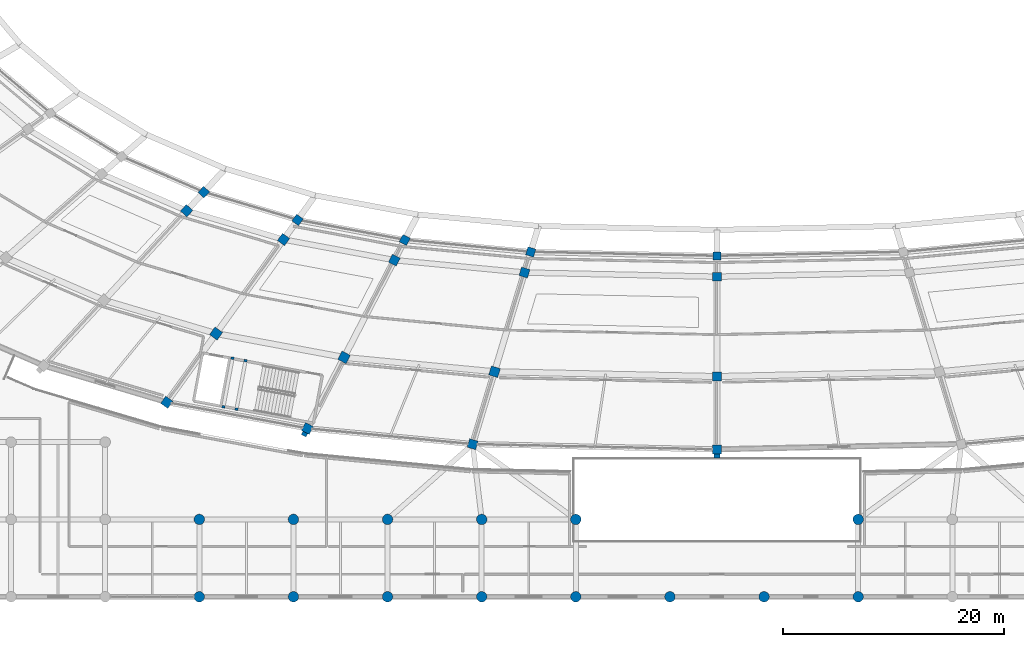
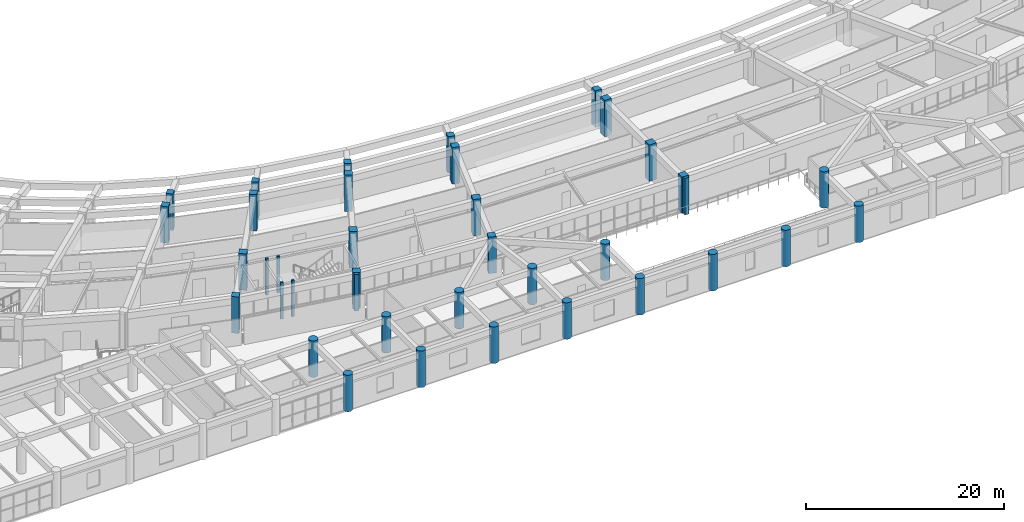
# One storey, part 2 of 145: 38 columns.
"""IFC4 building model written with IfcOpenShell, lengths in metres."""

from ifc_helpers import new_model, si_unit, direction, frame, origin, origin_2d, place, context, subcontext, project, spatial, rectangle, circle, extrude, material, material_profile, profile_set, type_object, element, save


model = new_model("IFC4")

# Units and contexts
model_context = context("Model", 3, precision=1e-05, world=origin(), true_north=direction((0.0, 1.0)))
body_context = subcontext(model_context, "Body", "Model", "MODEL_VIEW")
ifc_project = project(units=[si_unit("LENGTHUNIT", "METRE"), si_unit("AREAUNIT", "SQUARE_METRE"), si_unit("VOLUMEUNIT", "CUBIC_METRE"), si_unit("PLANEANGLEUNIT", "RADIAN"), si_unit("MASSUNIT", "GRAM", prefix="KILO")], contexts=[model_context])

# Site, building, storey
site_placement = place(None, origin())
site = spatial("IfcSite", under=ifc_project, at=site_placement, CompositionType="ELEMENT")
building_placement = place(site_placement, origin())
building = spatial("IfcBuilding", under=site, at=building_placement, Name="Mphavela Belvedere Stadium", CompositionType="ELEMENT")
storey_placement = place(building_placement, frame((0.0, 0.0, 10.199951171875)))
storey = spatial("IfcBuildingStorey", under=building, at=storey_placement, Name="L02", CompositionType="ELEMENT", Elevation=10.199951171875)

# Columns
ifc_material_1 = material(Name="Concrete C40/50", Category="concrete")
ifc_material_profile_1 = material_profile(ifc_material_1, rectangle(XDim=0.300048828125, YDim=0.219970703125, at=origin_2d()), Name="RC 300x220")
ifc_profile_set_1 = profile_set([ifc_material_profile_1], Name="Concrete C40/50")
column_type_1 = type_object("IfcColumnType", Name="COL-CORE-POST-300", PredefinedType="COLUMN", material=ifc_profile_set_1)
for number, where, z_axis, x_axis, name in (
    (1, (72.329833984375, 21.36865234375, 0.0), (0.0, 0.0, 1.0), (-0.983095502692, 0.183093507769, 0.0), "Core C11 stair frame column L02-1"),
    (2, (71.150146484375, 21.58837890625, 0.0), (0.0, 0.0, 1.0), (-0.983095502692, 0.183093507769, 0.0), "Core C11 stair frame column L02-2"),
    (3, (70.331787109375, 17.19384765625, 0.0), (0.0, 0.0, 1.0), (-0.983095502692, 0.183093507769, 0.0), "Core C11 stair frame column L02-3"),
    (4, (71.511474609375, 16.97412109375, 0.0), (0.0, 0.0, 1.0), (-0.983095502692, 0.183093507769, 0.0), "Core C11 stair frame column L02-4"),
):
    element("IfcColumn", number, at=place(storey_placement, frame(where, z_axis=z_axis, x_axis=x_axis)), inside=storey, type_object=column_type_1, Name=name, PredefinedType="COLUMN", context=body_context, shape_type="SweptSolid", body=[
        extrude(rectangle(XDim=0.300048828125, YDim=0.219970703125, at=origin_2d()), origin(), (0.0, 0.0, 1.0), 4.5),
    ])
ifc_material_2 = material(Name="Concrete C40/50", Category="concrete")
ifc_material_profile_2 = material_profile(ifc_material_2, circle(Radius=0.47509765625, at=origin_2d()), Name="COL D950")
ifc_profile_set_2 = profile_set([ifc_material_profile_2], Name="Concrete C40/50")
column_type_2 = type_object("IfcColumnType", Name="COL-DORIC-950", PredefinedType="COLUMN", material=ifc_profile_set_2)
for number, where, z_axis, x_axis, name in (
    (5, (68.14794921875, 0.0, 0.0), (0.0, 0.0, 1.0), (1.0, 0.0, 0.0), "South Axial Triumphal Peristyle Portico classical column L02 9-1"),
    (6, (68.14794921875, 7.0, 0.0), (0.0, 0.0, 1.0), (1.0, 0.0, 0.0), "South Axial Triumphal Peristyle Portico classical column L02 9-2"),
    (7, (76.6669921875, 0.0, 0.0), (0.0, 0.0, 1.0), (1.0, 0.0, 0.0), "South Axial Triumphal Peristyle Portico classical column L02 10-1"),
    (8, (76.6669921875, 7.0, 0.0), (0.0, 0.0, 1.0), (1.0, 0.0, 0.0), "South Axial Triumphal Peristyle Portico classical column L02 10-2"),
    (9, (85.18505859375, 0.0, 0.0), (0.0, 0.0, 1.0), (1.0, 0.0, 0.0), "South Axial Triumphal Peristyle Portico classical column L02 11-1"),
    (10, (85.18505859375, 7.0, 0.0), (0.0, 0.0, 1.0), (1.0, 0.0, 0.0), "South Axial Triumphal Peristyle Portico classical column L02 11-2"),
    (11, (93.7041015625, 0.0, 0.0), (0.0, 0.0, 1.0), (1.0, 0.0, 0.0), "South Axial Triumphal Peristyle Portico classical column L02 12-1"),
    (12, (93.7041015625, 7.0, 0.0), (0.0, 0.0, 1.0), (1.0, 0.0, 0.0), "South Axial Triumphal Peristyle Portico classical column L02 12-2"),
    (13, (102.221923828125, 0.0, 0.0), (0.0, 0.0, 1.0), (1.0, 0.0, 0.0), "South Axial Triumphal Peristyle Portico classical column L02 13-1"),
    (14, (102.221923828125, 7.0, 0.0), (0.0, 0.0, 1.0), (1.0, 0.0, 0.0), "South Axial Triumphal Peristyle Portico classical column L02 13-2"),
    (15, (110.740966796875, 0.0, 0.0), (0.0, 0.0, 1.0), (1.0, 0.0, 0.0), "South Axial Triumphal Peristyle Portico classical column L02 14-1"),
    (16, (119.259033203125, 0.0, 0.0), (0.0, 0.0, 1.0), (1.0, 0.0, 0.0), "South Axial Triumphal Peristyle Portico classical column L02 15-1"),
    (17, (127.778076171875, 0.0, 0.0), (0.0, 0.0, 1.0), (1.0, 0.0, 0.0), "South Axial Triumphal Peristyle Portico classical column L02 16-1"),
    (18, (127.778076171875, 7.0, 0.0), (0.0, 0.0, 1.0), (1.0, 0.0, 0.0), "South Axial Triumphal Peristyle Portico classical column L02 16-2"),
):
    element("IfcColumn", number, at=place(storey_placement, frame(where, z_axis=z_axis, x_axis=x_axis)), inside=storey, type_object=column_type_2, Name=name, PredefinedType="COLUMN", context=body_context, shape_type="SweptSolid", body=[
        extrude(circle(Radius=0.47509765625, at=origin_2d()), origin(), (0.0, 0.0, 1.0), 4.5),
    ])
ifc_material_3 = material(Name="Concrete C40/50", Category="concrete")
ifc_material_profile_3 = material_profile(ifc_material_3, rectangle(XDim=0.75, YDim=0.75, at=origin_2d()), Name="RC 750x750")
ifc_profile_set_3 = profile_set([ifc_material_profile_3], Name="Concrete C40/50")
column_type_3 = type_object("IfcColumnType", Name="COL-RC750", PredefinedType="COLUMN", material=ifc_profile_set_3)
for number, where, z_axis, x_axis, name in (
    (19, (68.549560546875, 36.62109375, 0.0), (0.0, 0.0, 1.0), (-0.677903094969, -0.735151272753, 0.0), "Inner concourse column L02 R1-33"),
    (20, (77.038330078125, 34.101318359375, 0.0), (0.0, 0.0, 1.0), (-0.582974127943, -0.812490717577, 0.0), "Inner concourse column L02 R1-34"),
    (21, (86.74072265625, 32.294189453125, 0.0), (0.0, 0.0, 1.0), (-0.458959712465, -0.888457079624, 0.0), "Inner concourse column L02 R1-35"),
    (22, (98.142822265625, 31.20703125, 0.0), (0.0, 0.0, 1.0), (-0.289198876314, -0.957269037387, 0.0), "Inner concourse column L02 R1-36"),
    (23, (115.0, 30.843994140625, 0.0), (0.0, 0.0, 1.0), (0.0, -1.0, 0.0), "Inner concourse column L02 R1-37"),
):
    element("IfcColumn", number, at=place(storey_placement, frame(where, z_axis=z_axis, x_axis=x_axis)), inside=storey, type_object=column_type_3, Name=name, PredefinedType="COLUMN", context=body_context, shape_type="SweptSolid", body=[
        extrude(rectangle(XDim=0.75, YDim=0.75, at=origin_2d()), origin(), (0.0, 0.0, 1.0), 4.5),
    ])
ifc_material_4 = material(Name="Concrete C40/50", Category="concrete")
ifc_material_profile_4 = material_profile(ifc_material_4, rectangle(XDim=0.800048828125, YDim=0.800048828125, at=origin_2d()), Name="RC 800x800")
ifc_profile_set_4 = profile_set([ifc_material_profile_4], Name="Concrete C40/50")
column_type_4 = type_object("IfcColumnType", Name="COL-RC800", PredefinedType="COLUMN", material=ifc_profile_set_4)
for number, where, z_axis, x_axis, name in (
    (24, (66.997314453125, 34.9375, 0.0), (0.0, 0.0, 1.0), (-0.677903094969, -0.735151272753, 0.0), "Middle concourse column L02 R2-33"),
    (25, (75.769775390625, 32.33349609375, 0.0), (0.0, 0.0, 1.0), (-0.582974127943, -0.812490717577, 0.0), "Middle concourse column L02 R2-34"),
    (26, (65.19873046875, 17.60302734375, 0.0), (0.0, 0.0, 1.0), (-0.582974127943, -0.812490717577, 0.0), "Outer colonnade column L02 R4-34"),
    (27, (85.79638671875, 30.46630859375, 0.0), (0.0, 0.0, 1.0), (-0.458959712465, -0.888457079624, 0.0), "Middle concourse column L02 R2-35"),
    (28, (77.92724609375, 15.232666015625, 0.0), (0.0, 0.0, 1.0), (-0.458959712465, -0.888457079624, 0.0), "Outer colonnade column L02 R4-35"),
    (29, (97.57958984375, 29.342529296875, 0.0), (0.0, 0.0, 1.0), (-0.289198876314, -0.957269037387, 0.0), "Middle concourse column L02 R2-36"),
    (30, (92.885498046875, 13.80615234375, 0.0), (0.0, 0.0, 1.0), (-0.289198876314, -0.957269037387, 0.0), "Outer colonnade column L02 R4-36"),
    (31, (115.0, 28.967529296875, 0.0), (0.0, 0.0, 1.0), (0.0, -1.0, 0.0), "Middle concourse column L02 R2-37"),
    (32, (115.0, 13.330078125, 0.0), (0.0, 0.0, 1.0), (0.0, -1.0, 0.0), "Outer colonnade column L02 R4-37"),
):
    element("IfcColumn", number, at=place(storey_placement, frame(where, z_axis=z_axis, x_axis=x_axis)), inside=storey, type_object=column_type_4, Name=name, PredefinedType="COLUMN", context=body_context, shape_type="SweptSolid", body=[
        extrude(rectangle(XDim=0.800048828125, YDim=0.800048828125, at=origin_2d()), origin(), (0.0, 0.0, 1.0), 4.5),
    ])
ifc_material_5 = material(Name="Concrete C40/50", Category="concrete")
ifc_material_profile_5 = material_profile(ifc_material_5, rectangle(XDim=0.85009765625, YDim=0.85009765625, at=origin_2d()), Name="RC 850x850")
ifc_profile_set_5 = profile_set([ifc_material_profile_5], Name="Concrete C40/50")
column_type_5 = type_object("IfcColumnType", Name="COL-RC850", PredefinedType="COLUMN", material=ifc_profile_set_5)
for number, where, z_axis, x_axis, name in (
    (33, (69.662109375, 23.822509765625, 0.0), (0.0, 0.0, 1.0), (-0.582974127943, -0.812490717577, 0.0), "Main bowl column L02 R3-34"),
    (34, (81.249755859375, 21.66455078125, 0.0), (0.0, 0.0, 1.0), (-0.458959712465, -0.888457079624, 0.0), "Main bowl column L02 R3-35"),
    (35, (94.8671875, 20.365966796875, 0.0), (0.0, 0.0, 1.0), (-0.289198876314, -0.957269037387, 0.0), "Main bowl column L02 R3-36"),
    (36, (115.0, 19.9326171875, 0.0), (0.0, 0.0, 1.0), (0.0, -1.0, 0.0), "Main bowl column L02 R3-37"),
):
    element("IfcColumn", number, at=place(storey_placement, frame(where, z_axis=z_axis, x_axis=x_axis)), inside=storey, type_object=column_type_5, Name=name, PredefinedType="COLUMN", context=body_context, shape_type="SweptSolid", body=[
        extrude(rectangle(XDim=0.85009765625, YDim=0.85009765625, at=origin_2d()), origin(), (0.0, 0.0, 1.0), 4.5),
    ])
ifc_material_6 = material(Name="Concrete C40/50", Category="concrete")
ifc_material_profile_6 = material_profile(ifc_material_6, rectangle(XDim=0.5, YDim=0.35009765625, at=origin_2d()), Name="PIL 500x350")
ifc_profile_set_6 = profile_set([ifc_material_profile_6], Name="Concrete C40/50")
column_type_6 = type_object("IfcColumnType", Name="PIL-FLUTED-500", PredefinedType="PILASTER", material=ifc_profile_set_6)
for number, where, z_axis, x_axis, name in (
    (37, (77.661865234375, 14.718994140625, 0.0), (0.0, 0.0, 1.0), (0.888457079624, -0.458959712465, 0.0), "Fluted classical pilaster L02-35"),
    (38, (115.0, 12.751953125, 0.0), (0.0, 0.0, 1.0), (1.0, 0.0, 0.0), "Fluted classical pilaster L02-37"),
):
    element("IfcColumn", number, at=place(storey_placement, frame(where, z_axis=z_axis, x_axis=x_axis)), inside=storey, type_object=column_type_6, Name=name, PredefinedType="PILASTER", context=body_context, shape_type="SweptSolid", body=[
        extrude(rectangle(XDim=0.5, YDim=0.35009765625, at=origin_2d()), origin(), (0.0, 0.0, 1.0), 4.5),
    ])

save(model, "model.ifc")
